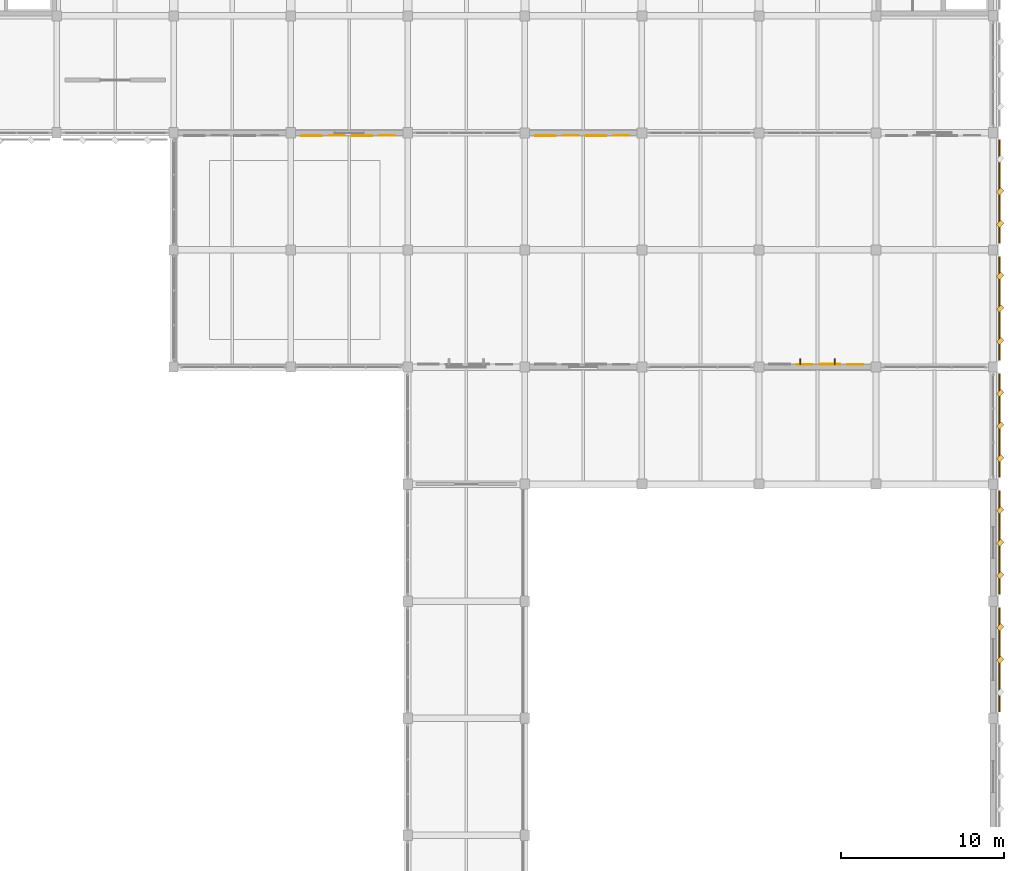
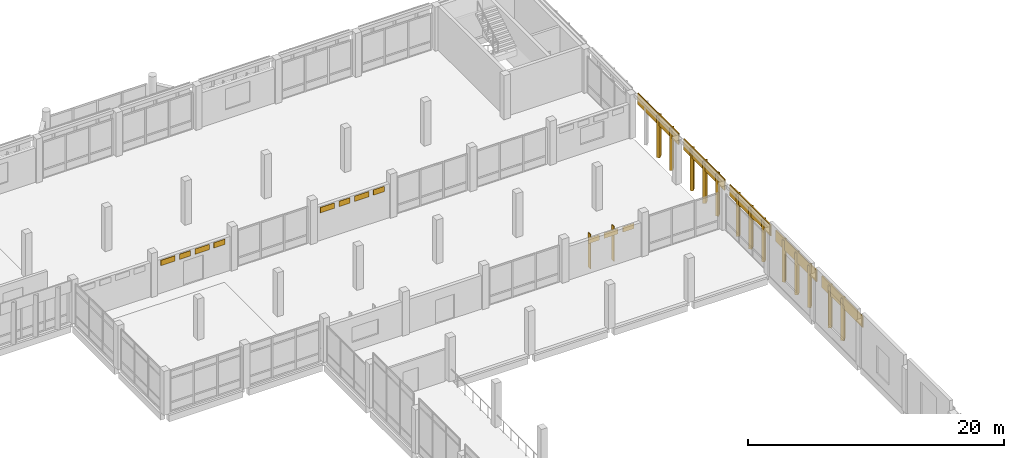
# One storey, part 155 of 158: 31 coverings.
"""IFC4 building model written with IfcOpenShell, lengths in metres."""

import ifcopenshell
import ifcopenshell.guid

model = None  # the IFC model being written
_history = None  # IfcOwnerHistory: only IFC2X3 demands one
_inside = {}  # id of a spatial element -> (the spatial element, [elements in it])
_under = {}  # id of a project, library or spatial element -> (it, [spatial elements below it])
_declared = {}  # id of a project -> (the project, [libraries it declares])
_typed = {}  # id of a type object -> (the type object, [elements of that type])
_made_of = {}  # id of a material, layer set ... -> (it, [elements and type objects made of it])


def new_model(schema):
    """Start an empty IFC model of exactly this schema.

    Asked for "IFC4X3", IfcOpenShell would pick the latest addendum, in which some entities
    have other attributes; the version numbers below select the first issue.
    IFC2X3 requires an IfcOwnerHistory on every rooted entity: one is made here for all.
    """
    global model, _history
    if schema == "IFC4X3":
        model = ifcopenshell.file(schema_version=(4, 3, 0, 0))
    else:
        model = ifcopenshell.file(schema=schema)
    _inside.clear()
    _under.clear()
    _declared.clear()
    _typed.clear()
    _made_of.clear()
    _history = None
    if model.schema == "IFC2X3":
        org = make("IfcOrganization", Name="unknown")
        user = make(
            "IfcPersonAndOrganization",
            ThePerson=make("IfcPerson", FamilyName="unknown"),
            TheOrganization=org,
        )
        app = make(
            "IfcApplication",
            ApplicationDeveloper=org,
            Version="unknown",
            ApplicationFullName="unknown",
            ApplicationIdentifier="unknown",
        )
        _history = make(
            "IfcOwnerHistory",
            OwningUser=user,
            OwningApplication=app,
            ChangeAction="ADDED",
            CreationDate=0,
        )
    return model


def make(cls, **values):
    """One entity of the class cls with the attributes given. An attribute that is None is left unset."""
    return model.create_entity(
        cls, **{name: value for name, value in values.items() if value is not None}
    )


def rooted(cls, **values):
    """An entity with a GlobalId (a new one), such as an element, a storey or a relation."""
    return make(cls, GlobalId=ifcopenshell.guid.new(), OwnerHistory=_history, **values)


def si_unit(unit_type, name, prefix=None):
    """IfcSIUnit, for example si_unit("LENGTHUNIT", "METRE", prefix="MILLI")."""
    return make("IfcSIUnit", UnitType=unit_type, Prefix=prefix, Name=name)


def assignment(units):
    """IfcUnitAssignment: the units of a project."""
    return None if units is None else make("IfcUnitAssignment", Units=units)


def point(xyz):
    """IfcCartesianPoint."""
    return None if xyz is None else make("IfcCartesianPoint", Coordinates=xyz)


def direction(xyz):
    """IfcDirection."""
    return None if xyz is None else make("IfcDirection", DirectionRatios=xyz)


def frame(location, z_axis=None, x_axis=None):
    """IfcAxis2Placement3D, a coordinate frame: its origin and axes. An axis left out is left unset."""
    return make(
        "IfcAxis2Placement3D",
        Location=point(location),
        Axis=direction(z_axis),
        RefDirection=direction(x_axis),
    )


def frame_2d(location, x_axis=None):
    """IfcAxis2Placement2D, a coordinate frame in the plane: its origin and x axis."""
    return make(
        "IfcAxis2Placement2D", Location=point(location), RefDirection=direction(x_axis)
    )


def origin():
    """The frame at (0, 0, 0) with its axes left unset."""
    return frame((0.0, 0.0, 0.0))


def origin_2d():
    """The frame at (0, 0) in the plane with its x axis left unset."""
    return frame_2d((0.0, 0.0))


def place(relative_to, where):
    """IfcLocalPlacement: puts the frame where relative to a parent placement (None: the world)."""
    return make(
        "IfcLocalPlacement", PlacementRelTo=relative_to, RelativePlacement=where
    )


def context(
    kind, dimensions, precision=None, world=None, true_north=None, identifier=None
):
    """IfcGeometricRepresentationContext, for example the 3D "Model" context."""
    return make(
        "IfcGeometricRepresentationContext",
        ContextIdentifier=identifier,
        ContextType=kind,
        CoordinateSpaceDimension=dimensions,
        Precision=precision,
        WorldCoordinateSystem=world,
        TrueNorth=true_north,
    )


def subcontext(parent, identifier, kind, view, scale=None):
    """IfcGeometricRepresentationSubContext, for example "Body" below "Model"."""
    return make(
        "IfcGeometricRepresentationSubContext",
        ContextIdentifier=identifier,
        ContextType=kind,
        ParentContext=parent,
        TargetScale=scale,
        TargetView=view,
    )


def project(units=None, contexts=None):
    """IfcProject with its units and contexts."""
    return rooted(
        "IfcProject",
        Name="project",
        RepresentationContexts=contexts,
        UnitsInContext=assignment(units),
    )


def spatial(cls, under=None, at=None, **own):
    """A site, building, storey or space (cls), placed at a placement, below another one or the project."""
    s = rooted(cls, ObjectPlacement=at, **own)
    if under is not None:
        _under.setdefault(under.id(), (under, []))[1].append(s)
    return s


def profile(cls, at=None, kind="AREA", **sizes):
    """A parametric profile (cls). Its sizes go by their IFC names, for example OverallWidth=200.0."""
    return make(cls, ProfileType=kind, Position=at, **sizes)


def rectangle(**sizes):
    """IfcRectangleProfileDef."""
    return profile("IfcRectangleProfileDef", **sizes)


def extrude(swept, where, along, depth):
    """IfcExtrudedAreaSolid: the profile swept, set in the frame where, extruded along a direction by depth."""
    return make(
        "IfcExtrudedAreaSolid",
        SweptArea=swept,
        Position=where,
        ExtrudedDirection=direction(along),
        Depth=depth,
    )


def shape(context_of_items, identifier, shape_type, items):
    """IfcShapeRepresentation: the items that make up one representation, for example the "Body"."""
    return make(
        "IfcShapeRepresentation",
        ContextOfItems=context_of_items,
        RepresentationIdentifier=identifier,
        RepresentationType=shape_type,
        Items=items,
    )


def material(Name=None, Category=None):
    """IfcMaterial."""
    return make("IfcMaterial", Name=Name, Category=Category)


def layer(
    of_material, thickness, ventilated=None, Name=None, Category=None, Priority=None
):
    """IfcMaterialLayer: one layer of a wall or slab, of a material (None: an air gap)."""
    return make(
        "IfcMaterialLayer",
        Material=of_material,
        LayerThickness=thickness,
        IsVentilated=ventilated,
        Name=Name,
        Category=Category,
        Priority=Priority,
    )


def layer_set(layers, Name=None):
    """IfcMaterialLayerSet."""
    return make("IfcMaterialLayerSet", MaterialLayers=layers, LayerSetName=Name)


def made_of(thing, what):
    """Note that an element or type object is made of a material, layer set ...; save() writes the relation."""
    if what is not None:
        _made_of.setdefault(what.id(), (what, []))[1].append(thing)
    return thing


def type_object(cls, material=None, **own):
    """A type object (cls), such as IfcWallType, which elements share."""
    return made_of(rooted(cls, **own), material)


def element(
    cls,
    number,
    at=None,
    inside=None,
    cuts=None,
    type_object=None,
    material=None,
    context=None,
    identifier="Body",
    shape_type=None,
    held_by="IfcProductDefinitionShape",
    body=None,
    shapes=None,
    **own,
):
    """One element of the class cls, such as IfcWall. Its Tag is "e" and its number.

    at: its placement. inside: the storey or other place that contains it. cuts: it is an
    opening in that element (IfcRelVoidsElement). A single representation is given by context,
    identifier, shape_type and body (its items); several are given by shapes. held_by: the class
    of the entity that holds the representations. save() writes the other relations.
    """
    e = rooted(cls, Tag="e%d" % number, ObjectPlacement=at, **own)
    if body is not None:
        shapes = [shape(context, identifier, shape_type, body)]
    if shapes is not None:
        e.Representation = make(held_by, Representations=shapes)
    if inside is not None:
        _inside.setdefault(inside.id(), (inside, []))[1].append(e)
    if cuts is not None:
        rooted(
            "IfcRelVoidsElement", RelatingBuildingElement=cuts, RelatedOpeningElement=e
        )
    if type_object is not None:
        _typed.setdefault(type_object.id(), (type_object, []))[1].append(e)
    return made_of(e, material)


def aggregate(whole, parts):
    """IfcRelAggregates: a whole, such as a stair, and the parts it consists of."""
    return rooted("IfcRelAggregates", RelatingObject=whole, RelatedObjects=parts)


def save(model, path):
    """Write the relations noted so far, then the file.

    IfcRelAggregates (storeys below a building ...), IfcRelContainedInSpatialStructure (elements
    in a storey), IfcRelDefinesByType, IfcRelAssociatesMaterial and IfcRelDeclares: one each for
    every whole, place, type object, material and project.
    """
    for whole, parts in _under.values():
        aggregate(whole, parts)
    for where, things in _inside.values():
        rooted(
            "IfcRelContainedInSpatialStructure",
            RelatedElements=things,
            RelatingStructure=where,
        )
    for kind, things in _typed.values():
        rooted("IfcRelDefinesByType", RelatedObjects=things, RelatingType=kind)
    for what, things in _made_of.values():
        rooted("IfcRelAssociatesMaterial", RelatedObjects=things, RelatingMaterial=what)
    for by, libraries in _declared.values():
        rooted("IfcRelDeclares", RelatingContext=by, RelatedDefinitions=libraries)
    model.write(path)


model = new_model("IFC4")

# Units and contexts
model_context = context("Model", 3, precision=1e-05, world=origin(), true_north=direction((0.0, 1.0)))
body_context = subcontext(model_context, "Body", "Model", "MODEL_VIEW")
ifc_project = project(units=[si_unit("LENGTHUNIT", "METRE"), si_unit("AREAUNIT", "SQUARE_METRE"), si_unit("VOLUMEUNIT", "CUBIC_METRE"), si_unit("PLANEANGLEUNIT", "RADIAN"), si_unit("MASSUNIT", "GRAM", prefix="KILO")], contexts=[model_context])

# Site, building, storey
site_placement = place(None, origin())
site = spatial("IfcSite", under=ifc_project, at=site_placement, CompositionType="ELEMENT")
building_placement = place(site_placement, origin())
building = spatial("IfcBuilding", under=site, at=building_placement, Name="Lusvemor Sports Hall", CompositionType="ELEMENT")
storey_placement = place(building_placement, frame((0.0, 0.0, 10.800048828125)))
storey = spatial("IfcBuildingStorey", under=building, at=storey_placement, Name="L02", CompositionType="ELEMENT", Elevation=10.800048828125)

# Coverings
ifc_material_1 = material(Name="Emerald polychrome glazed ceramic cladding on Concrete C40/50 backing", Category="concrete")
ifc_layer_1 = layer(ifc_material_1, 0.0458984375)
ifc_layer_set_1 = layer_set([ifc_layer_1], Name="Emerald polychrome glazed ceramic cladding on Concrete C40/50 backing")
covering_type_1 = type_object("IfcCoveringType", Name="CLAD_WAVE_EMERALD", PredefinedType="CLADDING", material=ifc_layer_set_1)
for number, where, z_axis, x_axis, name in (
    (1, (127.27490234375, 97.034423828125, 2.64990234375), (0.0, 0.0, 1.0), (1.0, 0.0, 0.0), "Art Nouveau Patterned Cladding PS-EW-L02-S-3-11-1"),
    (2, (130.375, 97.034423828125, 2.64990234375), (0.0, 0.0, 1.0), (1.0, 0.0, 0.0), "Art Nouveau Patterned Cladding PS-EW-L02-S-3-11-3"),
    (3, (141.675048828125, 97.034423828125, 2.64990234375), (0.0, 0.0, 1.0), (1.0, 0.0, 0.0), "Art Nouveau Patterned Cladding PS-EW-L02-S-3-13-1"),
    (4, (144.77490234375, 97.034423828125, 2.64990234375), (0.0, 0.0, 1.0), (1.0, 0.0, 0.0), "Art Nouveau Patterned Cladding PS-EW-L02-S-3-13-3"),
    (5, (159.175048828125, 82.965576171875, 2.61474609375), (0.0, 0.0, 1.0), (1.0, 0.0, 0.0), "Art Nouveau Patterned Cladding PS-EW-L02-N-4-3-3"),
):
    element("IfcCovering", number, at=place(storey_placement, frame(where, z_axis=z_axis, x_axis=x_axis)), inside=storey, type_object=covering_type_1, Name=name, PredefinedType="CLADDING", context=body_context, shape_type="SweptSolid", body=[
        extrude(rectangle(XDim=1.27099609375, YDim=0.0458984375, at=origin_2d()), origin(), (0.0, 0.0, 1.0), 0.510009765625),
    ])
for number, where, z_axis, x_axis, name in (
    (6, (169.639892578125, 64.800048828125, 0.099853515625), (0.0, 0.0, 1.0), (0.707106781187, 0.707106781187, 0.0), "Patterned Diamond Cladding Rib 403"),
    (7, (169.639892578125, 72.0, 0.099853515625), (0.0, 0.0, 1.0), (0.707106781187, 0.707106781187, 0.0), "Patterned Diamond Cladding Rib 415"),
    (8, (169.639892578125, 79.199951171875, 0.099853515625), (0.0, 0.0, 1.0), (0.707106781187, 0.707106781187, 0.0), "Patterned Diamond Cladding Rib 427"),
    (9, (169.639892578125, 86.39990234375, 0.099853515625), (0.0, 0.0, 1.0), (0.707106781187, 0.707106781187, 0.0), "Patterned Diamond Cladding Rib 444"),
    (10, (169.639892578125, 93.60009765625, 0.099853515625), (0.0, 0.0, 1.0), (0.707106781187, 0.707106781187, 0.0), "Patterned Diamond Cladding Rib 456"),
):
    element("IfcCovering", number, at=place(storey_placement, frame(where, z_axis=z_axis, x_axis=x_axis)), inside=storey, type_object=covering_type_1, Name=name, PredefinedType="CLADDING", context=body_context, shape_type="SweptSolid", body=[
        extrude(rectangle(XDim=0.3798828125, YDim=0.280029296875, at=origin_2d()), origin(), (0.0, 0.0, 1.0), 4.0),
    ])
ifc_material_2 = material(Name="Warm terracotta Art Nouveau ceramic cladding on Concrete C40/50 backing", Category="masonry")
ifc_layer_2 = layer(ifc_material_2, 0.0380859375)
ifc_layer_set_2 = layer_set([ifc_layer_2], Name="Warm terracotta Art Nouveau ceramic cladding on Concrete C40/50 backing")
covering_type_2 = type_object("IfcCoveringType", Name="CLAD_WAVE_OCHRE", PredefinedType="CLADDING", material=ifc_layer_set_2)
for number, where, z_axis, x_axis, name in (
    (11, (128.824951171875, 97.03857421875, 2.64990234375), (0.0, 0.0, 1.0), (1.0, 0.0, 0.0), "Art Nouveau Patterned Cladding PS-EW-L02-S-3-11-2"),
    (12, (131.925048828125, 97.03857421875, 2.64990234375), (0.0, 0.0, 1.0), (1.0, 0.0, 0.0), "Art Nouveau Patterned Cladding PS-EW-L02-S-3-11-4"),
    (13, (143.22509765625, 97.03857421875, 2.64990234375), (0.0, 0.0, 1.0), (1.0, 0.0, 0.0), "Art Nouveau Patterned Cladding PS-EW-L02-S-3-13-2"),
    (14, (146.324951171875, 97.03857421875, 2.64990234375), (0.0, 0.0, 1.0), (1.0, 0.0, 0.0), "Art Nouveau Patterned Cladding PS-EW-L02-S-3-13-4"),
    (15, (157.625, 82.96142578125, 2.61474609375), (0.0, 0.0, 1.0), (1.0, 0.0, 0.0), "Art Nouveau Patterned Cladding PS-EW-L02-N-4-3-2"),
    (16, (160.72509765625, 82.96142578125, 2.61474609375), (0.0, 0.0, 1.0), (1.0, 0.0, 0.0), "Art Nouveau Patterned Cladding PS-EW-L02-N-4-3-4"),
):
    element("IfcCovering", number, at=place(storey_placement, frame(where, z_axis=z_axis, x_axis=x_axis)), inside=storey, type_object=covering_type_2, Name=name, PredefinedType="CLADDING", context=body_context, shape_type="SweptSolid", body=[
        extrude(rectangle(XDim=0.991943359375, YDim=0.0380859375, at=origin_2d()), origin(), (0.0, 0.0, 1.0), 0.510009765625),
    ])
for number, where, z_axis, x_axis, name in (
    (17, (169.590087890625, 64.800048828125, 3.179931640625), (0.0, 0.0, 1.0), (1.0, 0.0, 0.0), "Art Nouveau Spandrel Cornice 401"),
    (18, (169.590087890625, 72.0, 3.179931640625), (0.0, 0.0, 1.0), (1.0, 0.0, 0.0), "Art Nouveau Spandrel Cornice 413"),
    (19, (169.590087890625, 79.199951171875, 3.179931640625), (0.0, 0.0, 1.0), (1.0, 0.0, 0.0), "Art Nouveau Spandrel Cornice 425"),
    (20, (169.590087890625, 86.39990234375, 3.179931640625), (0.0, 0.0, 1.0), (1.0, 0.0, 0.0), "Art Nouveau Spandrel Cornice 442"),
    (21, (169.590087890625, 93.60009765625, 3.179931640625), (0.0, 0.0, 1.0), (1.0, 0.0, 0.0), "Art Nouveau Spandrel Cornice 454"),
):
    element("IfcCovering", number, at=place(storey_placement, frame(where, z_axis=z_axis, x_axis=x_axis)), inside=storey, type_object=covering_type_2, Name=name, PredefinedType="CLADDING", context=body_context, shape_type="SweptSolid", body=[
        extrude(rectangle(XDim=0.090087890625, YDim=6.3798828125, at=origin_2d()), origin(), (0.0, 0.0, 1.0), 1.080078125),
    ])
ifc_material_3 = material(Name="Emerald polychrome glazed ceramic cladding on Concrete C40/50 backing", Category="concrete")
ifc_layer_3 = layer(ifc_material_3, 0.35009765625)
ifc_layer_set_3 = layer_set([ifc_layer_3], Name="Emerald polychrome glazed ceramic cladding on Concrete C40/50 backing")
covering_type_3 = type_object("IfcCoveringType", Name="FIN_BRISE_CER_350", PredefinedType="MOLDING", material=ifc_layer_set_3)
for number, where, z_axis, x_axis, name in (
    (22, (157.340087890625, 83.12744140625, 0.10009765625), (0.0, 0.0, 1.0), (1.0, 0.0, 0.0), "Wing Brise-Soleil Fin L02-N-4-3-1"),
    (23, (159.4599609375, 83.12744140625, 0.10009765625), (0.0, 0.0, 1.0), (1.0, 0.0, 0.0), "Wing Brise-Soleil Fin L02-N-4-3-2"),
):
    element("IfcCovering", number, at=place(storey_placement, frame(where, z_axis=z_axis, x_axis=x_axis)), inside=storey, type_object=covering_type_3, Name=name, PredefinedType="MOLDING", context=body_context, shape_type="SweptSolid", body=[
        extrude(rectangle(XDim=0.080078125, YDim=0.35009765625, at=origin_2d()), origin(), (0.0, 0.0, 1.0), 3.320068359375),
    ])
ifc_material_4 = material(Name="Warm terracotta Art Nouveau ceramic cladding on Concrete C40/50 backing", Category="masonry")
ifc_layer_4 = layer(ifc_material_4, 0.449951171875)
ifc_layer_set_4 = layer_set([ifc_layer_4], Name="Warm terracotta Art Nouveau ceramic cladding on Concrete C40/50 backing")
covering_type_4 = type_object("IfcCoveringType", Name="FIN_BRISE_CER_450", PredefinedType="MOLDING", material=ifc_layer_set_4)
for number, where, z_axis, x_axis, name in (
    (24, (169.639892578125, 66.800048828125, 0.099853515625), (0.0, 0.0, 1.0), (0.707106781187, 0.707106781187, 0.0), "Patterned Diamond Cladding Rib 404"),
    (25, (169.639892578125, 70.0, 0.099853515625), (0.0, 0.0, 1.0), (0.707106781187, 0.707106781187, 0.0), "Patterned Diamond Cladding Rib 414"),
    (26, (169.639892578125, 74.0, 0.099853515625), (0.0, 0.0, 1.0), (0.707106781187, 0.707106781187, 0.0), "Patterned Diamond Cladding Rib 416"),
    (27, (169.639892578125, 77.199951171875, 0.099853515625), (0.0, 0.0, 1.0), (0.707106781187, 0.707106781187, 0.0), "Patterned Diamond Cladding Rib 426"),
    (28, (169.639892578125, 81.199951171875, 0.099853515625), (0.0, 0.0, 1.0), (0.707106781187, 0.707106781187, 0.0), "Patterned Diamond Cladding Rib 428"),
    (29, (169.639892578125, 84.39990234375, 0.099853515625), (0.0, 0.0, 1.0), (0.707106781187, 0.707106781187, 0.0), "Patterned Diamond Cladding Rib 443"),
    (30, (169.639892578125, 88.39990234375, 0.099853515625), (0.0, 0.0, 1.0), (0.707106781187, 0.707106781187, 0.0), "Patterned Diamond Cladding Rib 445"),
    (31, (169.639892578125, 91.60009765625, 0.099853515625), (0.0, 0.0, 1.0), (0.707106781187, 0.707106781187, 0.0), "Patterned Diamond Cladding Rib 455"),
):
    element("IfcCovering", number, at=place(storey_placement, frame(where, z_axis=z_axis, x_axis=x_axis)), inside=storey, type_object=covering_type_4, Name=name, PredefinedType="MOLDING", context=body_context, shape_type="SweptSolid", body=[
        extrude(rectangle(XDim=0.3798828125, YDim=0.280029296875, at=origin_2d()), origin(), (0.0, 0.0, 1.0), 4.0),
    ])

save(model, "model.ifc")
